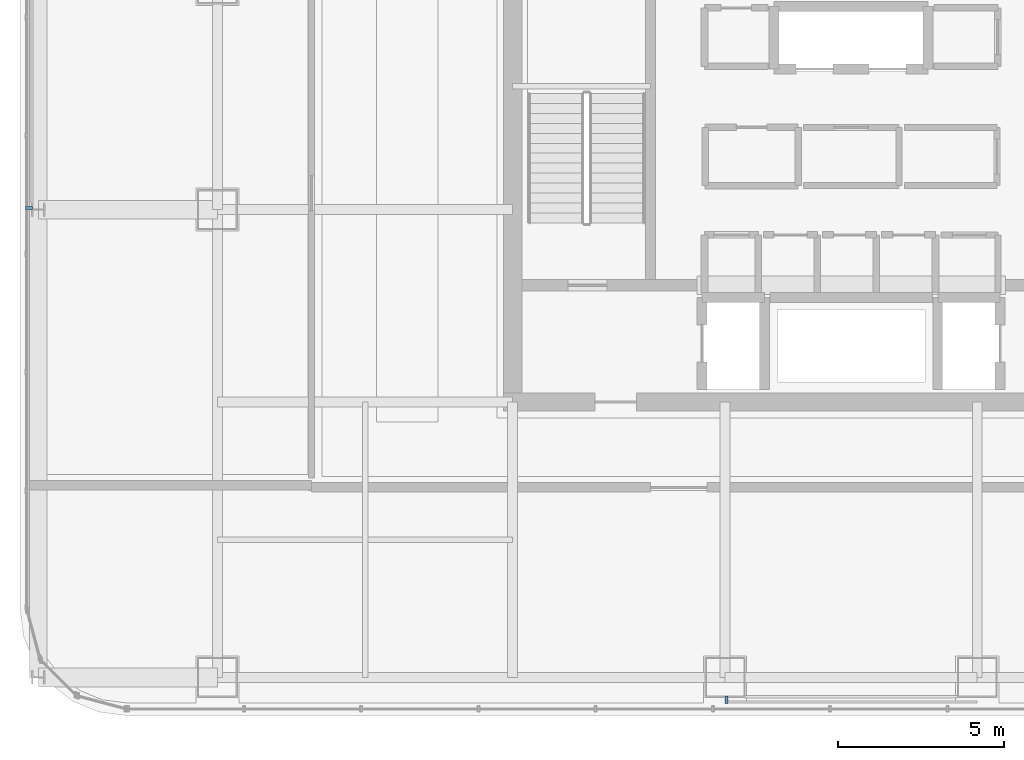
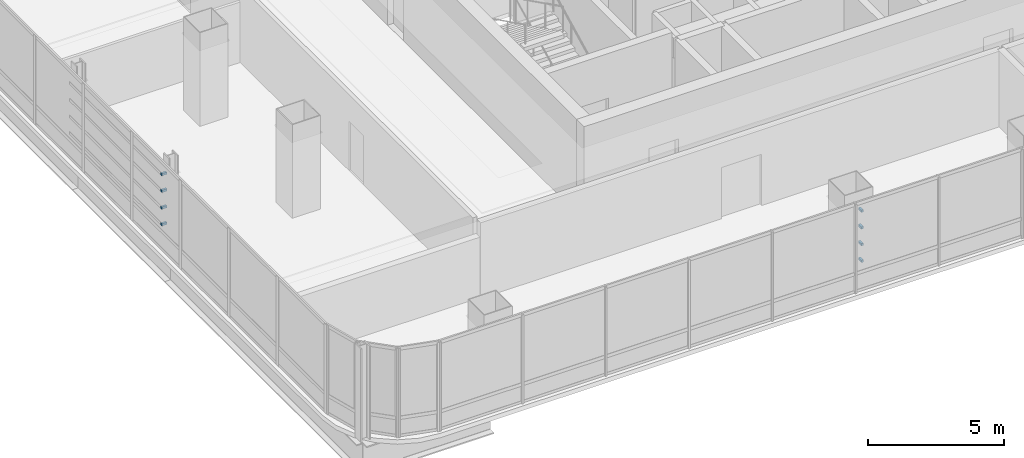
# One storey, part 37 of 42: 8 discrete accessories.
"""IFC4 building model written with IfcOpenShell, lengths in metres."""

from ifc_helpers import new_model, si_unit, direction, frame, origin, origin_2d, place, context, subcontext, project, spatial, rectangle, extrude, material, type_object, element, save


model = new_model("IFC4")

# Units and contexts
model_context = context("Model", 3, precision=1e-05, world=origin(), true_north=direction((0.0, 1.0)))
body_context = subcontext(model_context, "Body", "Model", "MODEL_VIEW")
ifc_project = project(units=[si_unit("LENGTHUNIT", "METRE"), si_unit("AREAUNIT", "SQUARE_METRE"), si_unit("VOLUMEUNIT", "CUBIC_METRE"), si_unit("PLANEANGLEUNIT", "RADIAN"), si_unit("MASSUNIT", "GRAM", prefix="KILO")], contexts=[model_context])

# Site, building, storey
site_placement = place(None, origin())
site = spatial("IfcSite", under=ifc_project, at=site_placement, CompositionType="ELEMENT")
building_placement = place(site_placement, origin())
building = spatial("IfcBuilding", under=site, at=building_placement, Name="Punatoya Terracotta Tower", CompositionType="ELEMENT")
storey_placement = place(building_placement, frame((0.0, 0.0, 304.800048828125)))
storey = spatial("IfcBuildingStorey", under=building, at=storey_placement, Name="L72", CompositionType="ELEMENT", Elevation=304.800048828125)

# Discrete accessories
ifc_material = material(Name="Steel S355", Category="steel")
discrete_accessory_type = type_object("IfcDiscreteAccessoryType", Name="ACC-BRK-220", PredefinedType="BRACKET", material=ifc_material)
for number, where, z_axis, x_axis, name in (
    (1, (-3.75, -18.169921875, 1.099853515625), (0.0, 0.0, 1.0), (1.0, 0.0, 0.0), "L72 Baguette Louvre Column Bracket BAG-L72-S-01"),
    (2, (-3.75, -18.169921875, 1.849853515625), (0.0, 0.0, 1.0), (1.0, 0.0, 0.0), "L72 Baguette Louvre Column Bracket BAG-L72-S-02"),
    (3, (-3.75, -18.169921875, 2.599853515625), (0.0, 0.0, 1.0), (1.0, 0.0, 0.0), "L72 Baguette Louvre Column Bracket BAG-L72-S-03"),
    (4, (-3.75, -18.169921875, 3.349853515625), (0.0, 0.0, 1.0), (1.0, 0.0, 0.0), "L72 Baguette Louvre Column Bracket BAG-L72-S-04"),
    (5, (-24.778076171875, -3.35009765625, 1.099853515625), (0.0, 0.0, 1.0), (0.0, 1.0, 0.0), "L72 Baguette Louvre Column Bracket BAG-L72-W-01"),
    (6, (-24.778076171875, -3.35009765625, 1.849853515625), (0.0, 0.0, 1.0), (0.0, 1.0, 0.0), "L72 Baguette Louvre Column Bracket BAG-L72-W-02"),
    (7, (-24.778076171875, -3.35009765625, 2.599853515625), (0.0, 0.0, 1.0), (0.0, 1.0, 0.0), "L72 Baguette Louvre Column Bracket BAG-L72-W-03"),
    (8, (-24.778076171875, -3.35009765625, 3.349853515625), (0.0, 0.0, 1.0), (0.0, 1.0, 0.0), "L72 Baguette Louvre Column Bracket BAG-L72-W-04"),
):
    element("IfcDiscreteAccessory", number, at=place(storey_placement, frame(where, z_axis=z_axis, x_axis=x_axis)), inside=storey, type_object=discrete_accessory_type, Name=name, PredefinedType="BRACKET", context=body_context, shape_type="SweptSolid", body=[
        extrude(rectangle(XDim=0.090087890625, YDim=0.219970703125, at=origin_2d()), origin(), (0.0, 0.0, 1.0), 0.10009765625),
    ])

save(model, "model.ifc")
